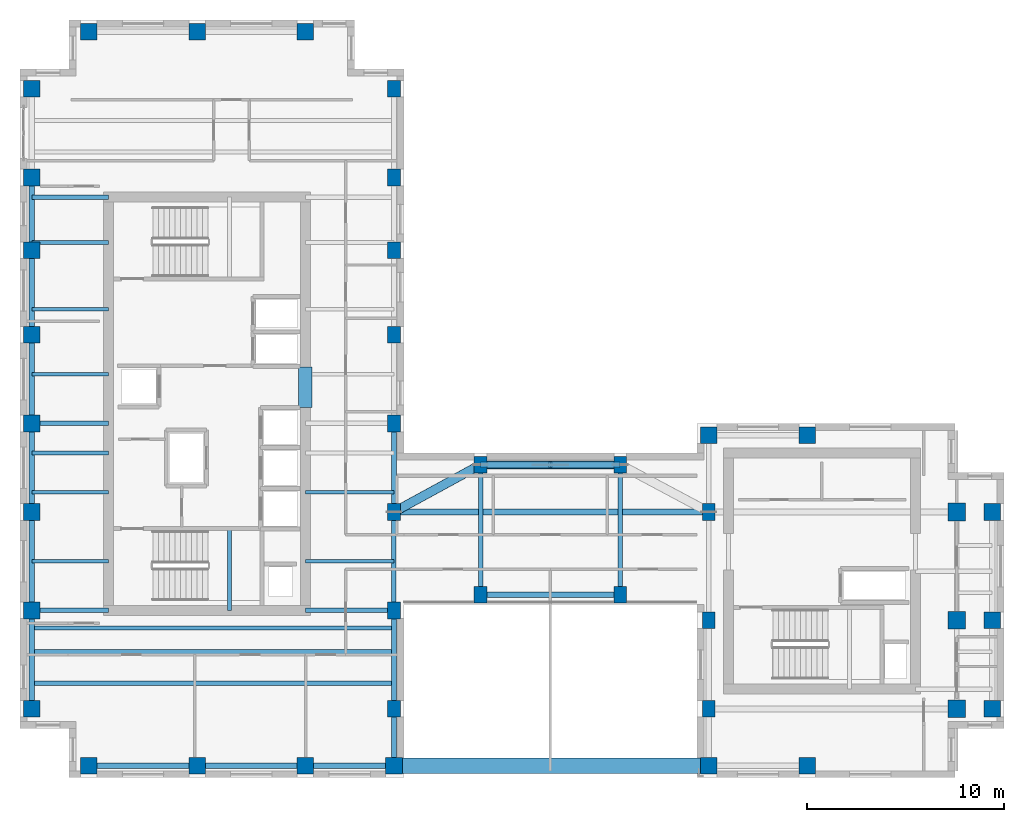
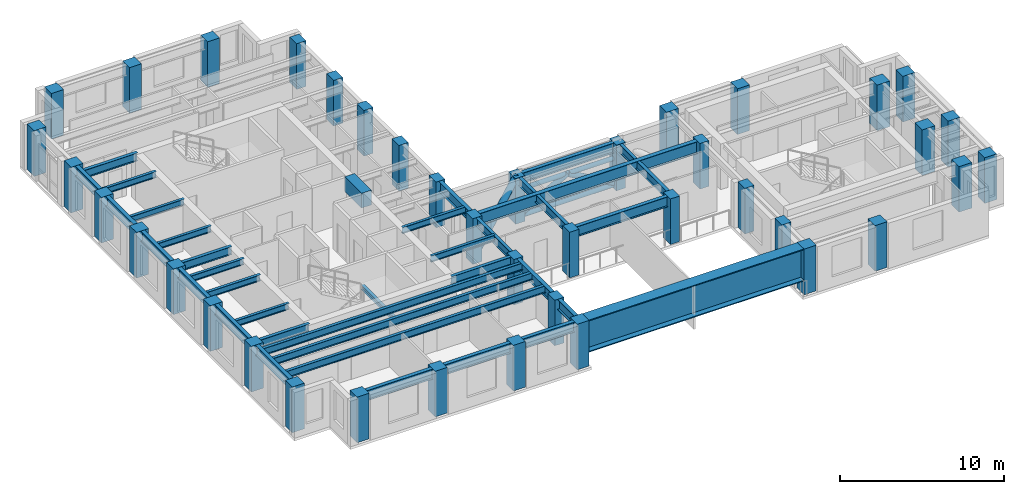
# One storey, part 1 of 12: 40 columns, 36 beams, 5 members.
"""IFC4 building model written with IfcOpenShell, lengths in metres."""

from ifc_helpers import new_model, si_unit, direction, frame, origin, origin_2d, place, context, subcontext, project, spatial, rectangle, hollow_circle, i_section, extrude, source, transform, mapped, material, material_profile, profile_set, type_object, element, save


model = new_model("IFC4")

# Units and contexts
model_context = context("Model", 3, precision=1e-05, world=origin(), true_north=direction((0.0, 1.0)))
body_context = subcontext(model_context, "Body", "Model", "MODEL_VIEW")
ifc_project = project(units=[si_unit("LENGTHUNIT", "METRE"), si_unit("AREAUNIT", "SQUARE_METRE"), si_unit("VOLUMEUNIT", "CUBIC_METRE"), si_unit("PLANEANGLEUNIT", "RADIAN"), si_unit("MASSUNIT", "GRAM", prefix="KILO")], contexts=[model_context])

# Site, building, storey
site_placement = place(None, origin())
site = spatial("IfcSite", under=ifc_project, at=site_placement, CompositionType="ELEMENT")
building_placement = place(site_placement, origin())
building = spatial("IfcBuilding", under=site, at=building_placement, Name="Kharzan Plaza Tower", CompositionType="ELEMENT")
storey_placement = place(building_placement, frame((0.0, 0.0, 248.39990234375)))
storey = spatial("IfcBuildingStorey", under=building, at=storey_placement, Name="L67", CompositionType="ELEMENT", Elevation=248.39990234375)

# Columns
ifc_material_1 = material(Name="Concrete C50/60", Category="concrete")
ifc_material_profile_1 = material_profile(ifc_material_1, rectangle(XDim=0.89990234375, YDim=0.89990234375, at=origin_2d()), Name="RC-IC900x900")
ifc_profile_set_1 = profile_set([ifc_material_profile_1], Name="Concrete C50/60")
column_type_1 = type_object("IfcColumnType", Name="COL-IC900", PredefinedType="COLUMN", material=ifc_profile_set_1)
shared_shape_1 = source(origin(), body_context, "Body", "SweptSolid", [
    extrude(rectangle(XDim=0.89990234375, YDim=0.89990234375, at=origin_2d()), origin(), (0.0, 0.0, 1.0), 3.400146484375),
])
for number, where, z_axis, x_axis, name in (
    (1, (47.60009765625, 13.5, 0.0), (0.0, 0.0, 1.0), (1.0, 0.0, 0.0), "L67 Structural Column TCBI-135"),
    (2, (47.60009765625, 3.5, 0.0), (0.0, 0.0, 1.0), (1.0, 0.0, 0.0), "L67 Structural Column TCBI-35"),
    (3, (47.60009765625, 8.0, 0.0), (0.0, 0.0, 1.0), (1.0, 0.0, 0.0), "L67 Structural Column TCBI-80"),
):
    element("IfcColumn", number, at=place(storey_placement, frame(where, z_axis=z_axis, x_axis=x_axis)), inside=storey, type_object=column_type_1, Name=name, PredefinedType="COLUMN", context=body_context, shape_type="MappedRepresentation", body=[
        mapped(shared_shape_1, transform((0.0, 0.0, 0.0), x_axis=(1.0, 0.0, 0.0), y_axis=(0.0, 1.0, 0.0), z_axis=(0.0, 0.0, 1.0))),
    ])
ifc_material_profile_2 = material_profile(ifc_material_1, rectangle(XDim=0.64990234375, YDim=0.85009765625, at=origin_2d()), Name="RC-SC850x650")
ifc_profile_set_2 = profile_set([ifc_material_profile_2], Name="Concrete C50/60")
column_type_2 = type_object("IfcColumnType", Name="COL-SC850", PredefinedType="COLUMN", material=ifc_profile_set_2)
shared_shape_2 = source(origin(), body_context, "Body", "SweptSolid", [
    extrude(rectangle(XDim=0.64990234375, YDim=0.85009765625, at=origin_2d()), origin(), (0.0, 0.0, 1.0), 3.400146484375),
])
for number, where, z_axis, x_axis, name in (
    (4, (19.0, 13.5, 0.0), (0.0, 0.0, 1.0), (1.0, 0.0, 0.0), "L67 Structural Column TCA-135"),
    (5, (19.0, 18.0, 0.0), (0.0, 0.0, 1.0), (1.0, 0.0, 0.0), "L67 Structural Column TCA-180"),
    (6, (19.0, 22.5, 0.0), (0.0, 0.0, 1.0), (1.0, 0.0, 0.0), "L67 Structural Column TCA-225"),
    (7, (19.0, 26.800048828125, 0.0), (0.0, 0.0, 1.0), (1.0, 0.0, 0.0), "L67 Structural Column TCA-268"),
    (8, (19.0, 30.5, 0.0), (0.0, 0.0, 1.0), (1.0, 0.0, 0.0), "L67 Structural Column TCA-305"),
    (9, (19.0, 3.5, 0.0), (0.0, 0.0, 1.0), (1.0, 0.0, 0.0), "L67 Structural Column TCA-35"),
    (10, (19.0, 35.0, 0.0), (0.0, 0.0, 1.0), (1.0, 0.0, 0.0), "L67 Structural Column TCA-350"),
    (11, (19.0, 8.5, 0.0), (0.0, 0.0, 1.0), (1.0, 0.0, 0.0), "L67 Structural Column TCA-85"),
    (12, (35.0, 13.5, 0.0), (0.0, 0.0, 1.0), (1.0, 0.0, 0.0), "L67 Structural Column TCBS-135"),
    (13, (35.0, 3.5, 0.0), (0.0, 0.0, 1.0), (1.0, 0.0, 0.0), "L67 Structural Column TCBS-35"),
    (14, (35.0, 8.0, 0.0), (0.0, 0.0, 1.0), (1.0, 0.0, 0.0), "L67 Structural Column TCBS-80"),
    (15, (23.39990234375, 15.89990234375, 0.0), (0.0, 0.0, 1.0), (1.0, 0.0, 0.0), "L67 Structural Column TCSP-234-159"),
    (16, (23.39990234375, 9.300048828125, 0.0), (0.0, 0.0, 1.0), (1.0, 0.0, 0.0), "L67 Structural Column TCSP-234-93"),
    (17, (30.5, 15.89990234375, 0.0), (0.0, 0.0, 1.0), (1.0, 0.0, 0.0), "L67 Structural Column TCSP-305-159"),
    (18, (30.5, 9.300048828125, 0.0), (0.0, 0.0, 1.0), (1.0, 0.0, 0.0), "L67 Structural Column TCSP-305-93"),
):
    element("IfcColumn", number, at=place(storey_placement, frame(where, z_axis=z_axis, x_axis=x_axis)), inside=storey, type_object=column_type_2, Name=name, PredefinedType="COLUMN", context=body_context, shape_type="MappedRepresentation", body=[
        mapped(shared_shape_2, transform((0.0, 0.0, 0.0), x_axis=(1.0, 0.0, 0.0), y_axis=(0.0, 1.0, 0.0), z_axis=(0.0, 0.0, 1.0))),
    ])
ifc_material_profile_3 = material_profile(ifc_material_1, rectangle(XDim=0.85009765625, YDim=0.85009765625, at=origin_2d()), Name="RC-TC850x850")
ifc_profile_set_3 = profile_set([ifc_material_profile_3], Name="Concrete C50/60")
column_type_3 = type_object("IfcColumnType", Name="COL-TC850", PredefinedType="COLUMN", material=ifc_profile_set_3)
shared_shape_3 = source(origin(), body_context, "Body", "SweptSolid", [
    extrude(rectangle(XDim=0.85009765625, YDim=0.85009765625, at=origin_2d()), origin(), (0.0, 0.0, 1.0), 3.400146484375),
])
for number, where, z_axis, x_axis, name in (
    (19, (35.0, 17.39990234375, 0.0), (0.0, 0.0, 1.0), (1.0, 0.0, 0.0), "L67 Structural Column TCBN-350-174"),
    (20, (40.0, 17.39990234375, 0.0), (0.0, 0.0, 1.0), (1.0, 0.0, 0.0), "L67 Structural Column TCBN-400-174"),
    (21, (49.39990234375, 13.5, 0.0), (0.0, 0.0, 1.0), (1.0, 0.0, 0.0), "L67 Structural Column TCE-494-135"),
    (22, (49.39990234375, 3.5, 0.0), (0.0, 0.0, 1.0), (1.0, 0.0, 0.0), "L67 Structural Column TCE-494-35"),
    (23, (49.39990234375, 8.0, 0.0), (0.0, 0.0, 1.0), (1.0, 0.0, 0.0), "L67 Structural Column TCE-494-80"),
    (24, (14.5, 37.89990234375, 0.0), (0.0, 0.0, 1.0), (1.0, 0.0, 0.0), "L67 Structural Column TCN-145-379"),
    (25, (3.5, 37.89990234375, 0.0), (0.0, 0.0, 1.0), (1.0, 0.0, 0.0), "L67 Structural Column TCN-35-379"),
    (26, (9.0, 37.89990234375, 0.0), (0.0, 0.0, 1.0), (1.0, 0.0, 0.0), "L67 Structural Column TCN-90-379"),
    (27, (14.5, 0.60009765625, 0.0), (0.0, 0.0, 1.0), (1.0, 0.0, 0.0), "L67 Structural Column TCS-145"),
    (28, (19.0, 0.60009765625, 0.0), (0.0, 0.0, 1.0), (1.0, 0.0, 0.0), "L67 Structural Column TCS-190"),
    (29, (3.5, 0.60009765625, 0.0), (0.0, 0.0, 1.0), (1.0, 0.0, 0.0), "L67 Structural Column TCS-35"),
    (30, (35.0, 0.60009765625, 0.0), (0.0, 0.0, 1.0), (1.0, 0.0, 0.0), "L67 Structural Column TCS-350"),
    (31, (40.0, 0.60009765625, 0.0), (0.0, 0.0, 1.0), (1.0, 0.0, 0.0), "L67 Structural Column TCS-400"),
    (32, (9.0, 0.60009765625, 0.0), (0.0, 0.0, 1.0), (1.0, 0.0, 0.0), "L67 Structural Column TCS-90"),
    (33, (0.60009765625, 13.5, 0.0), (0.0, 0.0, 1.0), (1.0, 0.0, 0.0), "L67 Structural Column TCW-135"),
    (34, (0.60009765625, 18.0, 0.0), (0.0, 0.0, 1.0), (1.0, 0.0, 0.0), "L67 Structural Column TCW-180"),
    (35, (0.60009765625, 22.5, 0.0), (0.0, 0.0, 1.0), (1.0, 0.0, 0.0), "L67 Structural Column TCW-225"),
    (36, (0.60009765625, 26.800048828125, 0.0), (0.0, 0.0, 1.0), (1.0, 0.0, 0.0), "L67 Structural Column TCW-268"),
    (37, (0.60009765625, 30.5, 0.0), (0.0, 0.0, 1.0), (1.0, 0.0, 0.0), "L67 Structural Column TCW-305"),
    (38, (0.60009765625, 3.5, 0.0), (0.0, 0.0, 1.0), (1.0, 0.0, 0.0), "L67 Structural Column TCW-35"),
    (39, (0.60009765625, 35.0, 0.0), (0.0, 0.0, 1.0), (1.0, 0.0, 0.0), "L67 Structural Column TCW-350"),
    (40, (0.60009765625, 8.5, 0.0), (0.0, 0.0, 1.0), (1.0, 0.0, 0.0), "L67 Structural Column TCW-85"),
):
    element("IfcColumn", number, at=place(storey_placement, frame(where, z_axis=z_axis, x_axis=x_axis)), inside=storey, type_object=column_type_3, Name=name, PredefinedType="COLUMN", context=body_context, shape_type="MappedRepresentation", body=[
        mapped(shared_shape_3, transform((0.0, 0.0, 0.0), x_axis=(1.0, 0.0, 0.0), y_axis=(0.0, 1.0, 0.0), z_axis=(0.0, 0.0, 1.0))),
    ])

# Beams
ifc_material_2 = material(Name="Concrete C60/75", Category="concrete")
ifc_material_profile_4 = material_profile(ifc_material_2, rectangle(XDim=0.699951171875, YDim=1.10009765625, at=origin_2d()), Name="RC-CB1100x700")
ifc_profile_set_4 = profile_set([ifc_material_profile_4], Name="Concrete C60/75")
beam_type_1 = type_object("IfcBeamType", Name="BM-RCCB1100", PredefinedType="LINTEL", material=ifc_profile_set_4)
shared_shape_4 = source(origin(), body_context, "Body", "SweptSolid", [
    extrude(rectangle(XDim=0.699951171875, YDim=1.10009765625, at=origin_2d()), origin(), (0.0, 0.0, 1.0), 2.059814453125),
])
beam_1_placement = place(storey_placement, frame((14.5, 18.820068359375, 2.85009765625), z_axis=(0.0, 1.0, 0.0), x_axis=(-1.0, 0.0, 0.0)))
element("IfcBeam", 41, at=beam_1_placement, inside=storey, type_object=beam_type_1, Name="L67 CORE-A RC coupling beam CB1", PredefinedType="LINTEL", context=body_context, shape_type="MappedRepresentation", body=[
    mapped(shared_shape_4, transform((0.0, 0.0, 0.0), x_axis=(1.0, 0.0, 0.0), y_axis=(0.0, 1.0, 0.0), z_axis=(0.0, 0.0, 1.0))),
])
ifc_material_3 = material(Name="Steel S355", Category="steel")
ifc_material_profile_5 = material_profile(ifc_material_3, i_section(OverallWidth=0.205078125, OverallDepth=0.35400390625, WebThickness=0.009521484375, FlangeThickness=0.016845703125, at=origin_2d()), Name="W360x79")
ifc_profile_set_5 = profile_set([ifc_material_profile_5], Name="Steel S355")
beam_type_2 = type_object("IfcBeamType", Name="BM-LNT360", PredefinedType="LINTEL", material=ifc_profile_set_5)
shared_shape_5 = source(origin(), body_context, "Body", "SweptSolid", [
    extrude(i_section(OverallWidth=0.205078125, OverallDepth=0.35400390625, WebThickness=0.009521484375, FlangeThickness=0.016845703125, at=origin_2d()), origin(), (0.0, 0.0, 1.0), 4.155029296875),
])
beam_2_placement = place(storey_placement, frame((10.64990234375, 8.5, 1.423095703125), z_axis=(0.0, 1.0, 0.0), x_axis=(-1.0, 0.0, 0.0)))
element("IfcBeam", 42, at=beam_2_placement, inside=storey, type_object=beam_type_2, Name="L67 Stair ST-1 Half-Landing Beam", PredefinedType="LINTEL", context=body_context, shape_type="MappedRepresentation", body=[
    mapped(shared_shape_5, transform((0.0, 0.0, 0.0), x_axis=(1.0, 0.0, 0.0), y_axis=(0.0, 1.0, 0.0), z_axis=(0.0, 0.0, 1.0))),
])
ifc_material_profile_6 = material_profile(ifc_material_3, i_section(OverallWidth=0.304931640625, OverallDepth=0.9189453125, WebThickness=0.017333984375, FlangeThickness=0.02783203125, at=origin_2d()), Name="W920x253")
ifc_profile_set_6 = profile_set([ifc_material_profile_6], Name="Steel S355")
beam_type_3 = type_object("IfcBeamType", Name="BM-FG920B", PredefinedType="BEAM", material=ifc_profile_set_6)
shared_shape_6 = source(origin(), body_context, "Body", "SweptSolid", [
    extrude(i_section(OverallWidth=0.304931640625, OverallDepth=0.9189453125, WebThickness=0.017333984375, FlangeThickness=0.02783203125, at=origin_2d()), origin(), (0.0, 0.0, 1.0), 16.0),
])
beam_3_placement = place(storey_placement, frame((19.0, 13.5, 2.940673828125), z_axis=(1.0, 0.0, 0.0), x_axis=(0.0, 1.0, 0.0)))
element("IfcBeam", 43, at=beam_3_placement, inside=storey, type_object=beam_type_3, Name="L67 Primary Floor Girder", PredefinedType="BEAM", context=body_context, shape_type="MappedRepresentation", body=[
    mapped(shared_shape_6, transform((0.0, 0.0, 0.0), x_axis=(1.0, 0.0, 0.0), y_axis=(0.0, 1.0, 0.0), z_axis=(0.0, 0.0, 1.0))),
])
ifc_material_profile_7 = material_profile(ifc_material_3, i_section(OverallWidth=0.2099609375, OverallDepth=0.537109375, WebThickness=0.010986328125, FlangeThickness=0.017333984375, at=origin_2d()), Name="W530x101")
ifc_profile_set_7 = profile_set([ifc_material_profile_7], Name="Steel S355")
beam_type_4 = type_object("IfcBeamType", Name="BM-JST530B", PredefinedType="JOIST", material=ifc_profile_set_7)
shared_shape_7 = source(origin(), body_context, "Body", "SweptSolid", [
    extrude(i_section(OverallWidth=0.2099609375, OverallDepth=0.537109375, WebThickness=0.010986328125, FlangeThickness=0.017333984375, at=origin_2d()), origin(), (0.0, 0.0, 1.0), 18.39990234375),
])
for number, where, z_axis, x_axis, name in (
    (44, (0.60009765625, 4.800048828125, 3.131591796875), (1.0, 0.0, 0.0), (0.0, 1.0, 0.0), "L67 Wing A Composite Joist 01"),
    (45, (0.60009765625, 6.39990234375, 3.131591796875), (1.0, 0.0, 0.0), (0.0, 1.0, 0.0), "L67 Wing A Composite Joist 02"),
    (46, (0.60009765625, 7.60009765625, 3.131591796875), (1.0, 0.0, 0.0), (0.0, 1.0, 0.0), "L67 Wing A Composite Joist 03"),
):
    element("IfcBeam", number, at=place(storey_placement, frame(where, z_axis=z_axis, x_axis=x_axis)), inside=storey, type_object=beam_type_4, Name=name, PredefinedType="JOIST", context=body_context, shape_type="MappedRepresentation", body=[
        mapped(shared_shape_7, transform((0.0, 0.0, 0.0), x_axis=(1.0, 0.0, 0.0), y_axis=(0.0, 1.0, 0.0), z_axis=(0.0, 0.0, 1.0))),
    ])
ifc_material_profile_8 = material_profile(ifc_material_3, i_section(OverallWidth=0.194091796875, OverallDepth=0.468994140625, WebThickness=0.011474609375, FlangeThickness=0.0205078125, at=origin_2d()), Name="W460x106")
ifc_profile_set_8 = profile_set([ifc_material_profile_8], Name="Steel S355")
beam_type_5 = type_object("IfcBeamType", Name="BM-JST460", PredefinedType="JOIST", material=ifc_profile_set_8)
shared_shape_8 = source(origin(), body_context, "Body", "SweptSolid", [
    extrude(i_section(OverallWidth=0.194091796875, OverallDepth=0.468994140625, WebThickness=0.011474609375, FlangeThickness=0.0205078125, at=origin_2d()), origin(), (0.0, 0.0, 1.0), 4.5),
])
for number, where, z_axis, x_axis, name in (
    (47, (14.5, 11.0, 3.16552734375), (1.0, 0.0, 0.0), (0.0, 1.0, 0.0), "L67 Wing A East Infill Joist 1"),
    (48, (14.5, 14.5, 3.16552734375), (1.0, 0.0, 0.0), (0.0, 1.0, 0.0), "L67 Wing A East Infill Joist 2"),
):
    element("IfcBeam", number, at=place(storey_placement, frame(where, z_axis=z_axis, x_axis=x_axis)), inside=storey, type_object=beam_type_5, Name=name, PredefinedType="JOIST", context=body_context, shape_type="MappedRepresentation", body=[
        mapped(shared_shape_8, transform((0.0, 0.0, 0.0), x_axis=(1.0, 0.0, 0.0), y_axis=(0.0, 1.0, 0.0), z_axis=(0.0, 0.0, 1.0))),
    ])
shared_shape_9 = source(origin(), body_context, "Body", "SweptSolid", [
    extrude(i_section(OverallWidth=0.194091796875, OverallDepth=0.468994140625, WebThickness=0.011474609375, FlangeThickness=0.0205078125, at=origin_2d()), origin(), (0.0, 0.0, 1.0), 3.89990234375),
])
for number, where, z_axis, x_axis, name in (
    (49, (0.60009765625, 11.0, 3.16552734375), (1.0, 0.0, 0.0), (0.0, 1.0, 0.0), "L67 Wing A West Infill Joist 1"),
    (50, (0.60009765625, 14.5, 3.16552734375), (1.0, 0.0, 0.0), (0.0, 1.0, 0.0), "L67 Wing A West Infill Joist 2"),
    (51, (0.60009765625, 16.5, 3.16552734375), (1.0, 0.0, 0.0), (0.0, 1.0, 0.0), "L67 Wing A West Infill Joist 3"),
    (52, (0.60009765625, 20.5, 3.16552734375), (1.0, 0.0, 0.0), (0.0, 1.0, 0.0), "L67 Wing A West Infill Joist 4"),
    (53, (0.60009765625, 23.800048828125, 3.16552734375), (1.0, 0.0, 0.0), (0.0, 1.0, 0.0), "L67 Wing A West Infill Joist 5"),
    (54, (0.60009765625, 27.199951171875, 3.16552734375), (1.0, 0.0, 0.0), (0.0, 1.0, 0.0), "L67 Wing A West Infill Joist 6"),
):
    element("IfcBeam", number, at=place(storey_placement, frame(where, z_axis=z_axis, x_axis=x_axis)), inside=storey, type_object=beam_type_5, Name=name, PredefinedType="JOIST", context=body_context, shape_type="MappedRepresentation", body=[
        mapped(shared_shape_9, transform((0.0, 0.0, 0.0), x_axis=(1.0, 0.0, 0.0), y_axis=(0.0, 1.0, 0.0), z_axis=(0.0, 0.0, 1.0))),
    ])

# Members
ifc_material_profile_9 = material_profile(ifc_material_3, hollow_circle(Radius=0.162109375, WallThickness=0.012451171875, at=origin_2d()), Name="CHS324x12.5")
ifc_profile_set_9 = profile_set([ifc_material_profile_9], Name="Steel S355")
member_type_1 = type_object("IfcMemberType", Name="MEM-TS-RING", PredefinedType="BRACE", material=ifc_profile_set_9)
shared_shape_10 = source(origin(), body_context, "Body", "SweptSolid", [
    extrude(hollow_circle(Radius=0.162109375, WallThickness=0.012451171875, at=origin_2d()), origin(), (0.0, 0.0, 1.0), 7.10009765625),
])
for number, where, z_axis, x_axis, name in (
    (55, (23.39990234375, 15.89990234375, 0.2001953125), (1.0, 0.0, 0.0), (0.0, 1.0, 0.0), "L67 Wind Turbine Slot Bottom Chord"),
    (56, (23.39990234375, 15.89990234375, 2.18017578125), (1.0, 0.0, 0.0), (0.0, 1.0, 0.0), "L67 Wind Turbine Slot Top Chord"),
):
    element("IfcMember", number, at=place(storey_placement, frame(where, z_axis=z_axis, x_axis=x_axis)), inside=storey, type_object=member_type_1, Name=name, PredefinedType="BRACE", context=body_context, shape_type="MappedRepresentation", body=[
        mapped(shared_shape_10, transform((0.0, 0.0, 0.0), x_axis=(1.0, 0.0, 0.0), y_axis=(0.0, 1.0, 0.0), z_axis=(0.0, 0.0, 1.0))),
    ])

# Beams
ifc_material_profile_10 = material_profile(ifc_material_3, i_section(OverallWidth=0.22900390625, OverallDepth=0.612060546875, WebThickness=0.011962890625, FlangeThickness=0.01953125, at=origin_2d()), Name="W610x125")
ifc_profile_set_10 = profile_set([ifc_material_profile_10], Name="Steel S355")
beam_type_6 = type_object("IfcBeamType", Name="BM-FG610B", PredefinedType="BEAM", material=ifc_profile_set_10)
shared_shape_11 = source(origin(), body_context, "Body", "SweptSolid", [
    extrude(i_section(OverallWidth=0.22900390625, OverallDepth=0.612060546875, WebThickness=0.011962890625, FlangeThickness=0.01953125, at=origin_2d()), origin(), (0.0, 0.0, 1.0), 4.5),
])
beam_4_placement = place(storey_placement, frame((14.5, 8.5, 3.093994140625), z_axis=(1.0, 0.0, 0.0), x_axis=(0.0, 1.0, 0.0)))
element("IfcBeam", 57, at=beam_4_placement, inside=storey, type_object=beam_type_6, Name="L67 Core-A East Floor Girder 1", PredefinedType="BEAM", context=body_context, shape_type="MappedRepresentation", body=[
    mapped(shared_shape_11, transform((0.0, 0.0, 0.0), x_axis=(1.0, 0.0, 0.0), y_axis=(0.0, 1.0, 0.0), z_axis=(0.0, 0.0, 1.0))),
])
shared_shape_12 = source(origin(), body_context, "Body", "SweptSolid", [
    extrude(i_section(OverallWidth=0.22900390625, OverallDepth=0.612060546875, WebThickness=0.011962890625, FlangeThickness=0.01953125, at=origin_2d()), origin(), (0.0, 0.0, 1.0), 3.89990234375),
])
for number, where, z_axis, x_axis, name in (
    (58, (0.60009765625, 8.5, 3.093994140625), (1.0, 0.0, 0.0), (0.0, 1.0, 0.0), "L67 Core-A West Floor Girder 1"),
    (59, (0.60009765625, 18.0, 3.093994140625), (1.0, 0.0, 0.0), (0.0, 1.0, 0.0), "L67 Core-A West Floor Girder 2"),
    (60, (0.60009765625, 29.5, 3.093994140625), (1.0, 0.0, 0.0), (0.0, 1.0, 0.0), "L67 Core-A West Floor Girder 3"),
):
    element("IfcBeam", number, at=place(storey_placement, frame(where, z_axis=z_axis, x_axis=x_axis)), inside=storey, type_object=beam_type_6, Name=name, PredefinedType="BEAM", context=body_context, shape_type="MappedRepresentation", body=[
        mapped(shared_shape_12, transform((0.0, 0.0, 0.0), x_axis=(1.0, 0.0, 0.0), y_axis=(0.0, 1.0, 0.0), z_axis=(0.0, 0.0, 1.0))),
    ])
shared_shape_13 = source(origin(), body_context, "Body", "SweptSolid", [
    extrude(i_section(OverallWidth=0.22900390625, OverallDepth=0.612060546875, WebThickness=0.011962890625, FlangeThickness=0.01953125, at=origin_2d()), origin(), (0.0, 0.0, 1.0), 5.0),
])
beam_5_placement = place(storey_placement, frame((19.0, 8.5, 3.093994140625), z_axis=(0.0, 1.0, 0.0), x_axis=(-1.0, 0.0, 0.0)))
element("IfcBeam", 61, at=beam_5_placement, inside=storey, type_object=beam_type_6, Name="L67 Interior Frame Girder", PredefinedType="BEAM", context=body_context, shape_type="MappedRepresentation", body=[
    mapped(shared_shape_13, transform((0.0, 0.0, 0.0), x_axis=(1.0, 0.0, 0.0), y_axis=(0.0, 1.0, 0.0), z_axis=(0.0, 0.0, 1.0))),
])
shared_shape_14 = source(origin(), body_context, "Body", "SweptSolid", [
    extrude(i_section(OverallWidth=0.22900390625, OverallDepth=0.612060546875, WebThickness=0.011962890625, FlangeThickness=0.01953125, at=origin_2d()), origin(), (0.0, 0.0, 1.0), 6.599853515625),
])
for number, where, z_axis, x_axis, name in (
    (62, (23.39990234375, 9.300048828125, 3.093994140625), (0.0, 1.0, 0.0), (-1.0, 0.0, 0.0), "L67 Interior Frame Girder"),
    (63, (30.5, 9.300048828125, 3.093994140625), (0.0, 1.0, 0.0), (-1.0, 0.0, 0.0), "L67 Interior Frame Girder"),
):
    element("IfcBeam", number, at=place(storey_placement, frame(where, z_axis=z_axis, x_axis=x_axis)), inside=storey, type_object=beam_type_6, Name=name, PredefinedType="BEAM", context=body_context, shape_type="MappedRepresentation", body=[
        mapped(shared_shape_14, transform((0.0, 0.0, 0.0), x_axis=(1.0, 0.0, 0.0), y_axis=(0.0, 1.0, 0.0), z_axis=(0.0, 0.0, 1.0))),
    ])
ifc_material_profile_11 = material_profile(ifc_material_3, i_section(OverallWidth=0.26708984375, OverallDepth=0.76611328125, WebThickness=0.014892578125, FlangeThickness=0.023681640625, at=origin_2d()), Name="W760x185")
ifc_profile_set_11 = profile_set([ifc_material_profile_11], Name="Steel S355")
beam_type_7 = type_object("IfcBeamType", Name="BM-SP760B", PredefinedType="SPANDREL", material=ifc_profile_set_11)
shared_shape_15 = source(origin(), body_context, "Body", "SweptSolid", [
    extrude(i_section(OverallWidth=0.26708984375, OverallDepth=0.76611328125, WebThickness=0.014892578125, FlangeThickness=0.023681640625, at=origin_2d()), origin(), (0.0, 0.0, 1.0), 5.0),
])
for number, where, z_axis, x_axis, name in (
    (64, (0.60009765625, 3.5, 3.01708984375), (0.0, 1.0, 0.0), (-1.0, 0.0, 0.0), "L67 Perimeter Tube Spandrel"),
    (65, (0.60009765625, 8.5, 3.01708984375), (0.0, 1.0, 0.0), (-1.0, 0.0, 0.0), "L67 Perimeter Tube Spandrel"),
    (66, (19.0, 3.5, 3.01708984375), (0.0, 1.0, 0.0), (-1.0, 0.0, 0.0), "L67 Perimeter Tube Spandrel"),
):
    element("IfcBeam", number, at=place(storey_placement, frame(where, z_axis=z_axis, x_axis=x_axis)), inside=storey, type_object=beam_type_7, Name=name, PredefinedType="SPANDREL", context=body_context, shape_type="MappedRepresentation", body=[
        mapped(shared_shape_15, transform((0.0, 0.0, 0.0), x_axis=(1.0, 0.0, 0.0), y_axis=(0.0, 1.0, 0.0), z_axis=(0.0, 0.0, 1.0))),
    ])
shared_shape_16 = source(origin(), body_context, "Body", "SweptSolid", [
    extrude(i_section(OverallWidth=0.26708984375, OverallDepth=0.76611328125, WebThickness=0.014892578125, FlangeThickness=0.023681640625, at=origin_2d()), origin(), (0.0, 0.0, 1.0), 4.5),
])
for number, where, z_axis, x_axis, name in (
    (67, (0.60009765625, 13.5, 3.01708984375), (0.0, 1.0, 0.0), (-1.0, 0.0, 0.0), "L67 Perimeter Tube Spandrel"),
    (68, (0.60009765625, 18.0, 3.01708984375), (0.0, 1.0, 0.0), (-1.0, 0.0, 0.0), "L67 Perimeter Tube Spandrel"),
    (69, (19.0, 13.5, 3.01708984375), (0.0, 1.0, 0.0), (-1.0, 0.0, 0.0), "L67 Perimeter Tube Spandrel"),
    (70, (14.5, 0.60009765625, 3.01708984375), (1.0, 0.0, 0.0), (0.0, 1.0, 0.0), "L67 Perimeter Tube Spandrel"),
):
    element("IfcBeam", number, at=place(storey_placement, frame(where, z_axis=z_axis, x_axis=x_axis)), inside=storey, type_object=beam_type_7, Name=name, PredefinedType="SPANDREL", context=body_context, shape_type="MappedRepresentation", body=[
        mapped(shared_shape_16, transform((0.0, 0.0, 0.0), x_axis=(1.0, 0.0, 0.0), y_axis=(0.0, 1.0, 0.0), z_axis=(0.0, 0.0, 1.0))),
    ])
shared_shape_17 = source(origin(), body_context, "Body", "SweptSolid", [
    extrude(i_section(OverallWidth=0.26708984375, OverallDepth=0.76611328125, WebThickness=0.014892578125, FlangeThickness=0.023681640625, at=origin_2d()), origin(), (0.0, 0.0, 1.0), 4.300048828125),
])
beam_6_placement = place(storey_placement, frame((0.60009765625, 22.5, 3.01708984375), z_axis=(0.0, 1.0, 0.0), x_axis=(-1.0, 0.0, 0.0)))
element("IfcBeam", 71, at=beam_6_placement, inside=storey, type_object=beam_type_7, Name="L67 Perimeter Tube Spandrel", PredefinedType="SPANDREL", context=body_context, shape_type="MappedRepresentation", body=[
    mapped(shared_shape_17, transform((0.0, 0.0, 0.0), x_axis=(1.0, 0.0, 0.0), y_axis=(0.0, 1.0, 0.0), z_axis=(0.0, 0.0, 1.0))),
])
shared_shape_18 = source(origin(), body_context, "Body", "SweptSolid", [
    extrude(i_section(OverallWidth=0.26708984375, OverallDepth=0.76611328125, WebThickness=0.014892578125, FlangeThickness=0.023681640625, at=origin_2d()), origin(), (0.0, 0.0, 1.0), 3.699951171875),
])
beam_7_placement = place(storey_placement, frame((0.60009765625, 26.800048828125, 3.01708984375), z_axis=(0.0, 1.0, 0.0), x_axis=(-1.0, 0.0, 0.0)))
element("IfcBeam", 72, at=beam_7_placement, inside=storey, type_object=beam_type_7, Name="L67 Perimeter Tube Spandrel", PredefinedType="SPANDREL", context=body_context, shape_type="MappedRepresentation", body=[
    mapped(shared_shape_18, transform((0.0, 0.0, 0.0), x_axis=(1.0, 0.0, 0.0), y_axis=(0.0, 1.0, 0.0), z_axis=(0.0, 0.0, 1.0))),
])
shared_shape_19 = source(origin(), body_context, "Body", "SweptSolid", [
    extrude(i_section(OverallWidth=0.26708984375, OverallDepth=0.76611328125, WebThickness=0.014892578125, FlangeThickness=0.023681640625, at=origin_2d()), origin(), (0.0, 0.0, 1.0), 2.89990234375),
])
beam_8_placement = place(storey_placement, frame((19.0, 0.60009765625, 3.01708984375), z_axis=(0.0, 1.0, 0.0), x_axis=(-1.0, 0.0, 0.0)))
element("IfcBeam", 73, at=beam_8_placement, inside=storey, type_object=beam_type_7, Name="L67 Perimeter Tube Spandrel", PredefinedType="SPANDREL", context=body_context, shape_type="MappedRepresentation", body=[
    mapped(shared_shape_19, transform((0.0, 0.0, 0.0), x_axis=(1.0, 0.0, 0.0), y_axis=(0.0, 1.0, 0.0), z_axis=(0.0, 0.0, 1.0))),
])
shared_shape_20 = source(origin(), body_context, "Body", "SweptSolid", [
    extrude(i_section(OverallWidth=0.26708984375, OverallDepth=0.76611328125, WebThickness=0.014892578125, FlangeThickness=0.023681640625, at=origin_2d()), origin(), (0.0, 0.0, 1.0), 5.5),
])
for number, where, z_axis, x_axis, name in (
    (74, (3.5, 0.60009765625, 3.01708984375), (1.0, 0.0, 0.0), (0.0, 1.0, 0.0), "L67 Perimeter Tube Spandrel"),
    (75, (9.0, 0.60009765625, 3.01708984375), (1.0, 0.0, 0.0), (0.0, 1.0, 0.0), "L67 Perimeter Tube Spandrel"),
):
    element("IfcBeam", number, at=place(storey_placement, frame(where, z_axis=z_axis, x_axis=x_axis)), inside=storey, type_object=beam_type_7, Name=name, PredefinedType="SPANDREL", context=body_context, shape_type="MappedRepresentation", body=[
        mapped(shared_shape_20, transform((0.0, 0.0, 0.0), x_axis=(1.0, 0.0, 0.0), y_axis=(0.0, 1.0, 0.0), z_axis=(0.0, 0.0, 1.0))),
    ])
shared_shape_21 = source(origin(), body_context, "Body", "SweptSolid", [
    extrude(i_section(OverallWidth=0.26708984375, OverallDepth=0.76611328125, WebThickness=0.014892578125, FlangeThickness=0.023681640625, at=origin_2d()), origin(), (0.0, 0.0, 1.0), 7.10009765625),
])
for number, where, z_axis, x_axis, name in (
    (76, (23.39990234375, 9.300048828125, 3.01708984375), (1.0, 0.0, 0.0), (0.0, 1.0, 0.0), "L67 Perimeter Tube Spandrel"),
    (77, (23.39990234375, 15.89990234375, 3.01708984375), (1.0, 0.0, 0.0), (0.0, 1.0, 0.0), "L67 Perimeter Tube Spandrel"),
):
    element("IfcBeam", number, at=place(storey_placement, frame(where, z_axis=z_axis, x_axis=x_axis)), inside=storey, type_object=beam_type_7, Name=name, PredefinedType="SPANDREL", context=body_context, shape_type="MappedRepresentation", body=[
        mapped(shared_shape_21, transform((0.0, 0.0, 0.0), x_axis=(1.0, 0.0, 0.0), y_axis=(0.0, 1.0, 0.0), z_axis=(0.0, 0.0, 1.0))),
    ])

# Members
ifc_material_profile_12 = material_profile(ifc_material_3, hollow_circle(Radius=0.202880859375, WallThickness=0.01611328125, at=origin_2d()), Name="CHS406x16")
ifc_profile_set_12 = profile_set([ifc_material_profile_12], Name="Steel S355")
member_type_2 = type_object("IfcMemberType", Name="MEM-TS-STRUT", PredefinedType="STRUT", material=ifc_profile_set_12)
shared_shape_22 = source(origin(), body_context, "Body", "SweptSolid", [
    extrude(hollow_circle(Radius=0.202880859375, WallThickness=0.01611328125, at=origin_2d()), origin(), (0.0, 0.0, 1.0), 4.06494140625),
])
for number, where, z_axis, x_axis, name in (
    (78, (23.39990234375, 15.89990234375, 0.2001953125), (0.873348642606, 0.0, 0.487095625579), (0.0, 1.0, 0.0), "L67 Wind Turbine Slot Rotor Strut 1"),
    (79, (30.5, 15.89990234375, 0.2001953125), (-0.873348642606, 0.0, 0.487095625579), (0.0, -1.0, 0.0), "L67 Wind Turbine Slot Rotor Strut 2"),
):
    element("IfcMember", number, at=place(storey_placement, frame(where, z_axis=z_axis, x_axis=x_axis)), inside=storey, type_object=member_type_2, Name=name, PredefinedType="STRUT", context=body_context, shape_type="MappedRepresentation", body=[
        mapped(shared_shape_22, transform((0.0, 0.0, 0.0), x_axis=(1.0, 0.0, 0.0), y_axis=(0.0, 1.0, 0.0), z_axis=(0.0, 0.0, 1.0))),
    ])
ifc_material_profile_13 = material_profile(ifc_material_3, hollow_circle(Radius=0.228515625, WallThickness=0.01611328125, at=origin_2d()), Name="CHS457x16")
ifc_profile_set_13 = profile_set([ifc_material_profile_13], Name="Steel S355")
member_type_3 = type_object("IfcMemberType", Name="MEM-WP-STRUT", PredefinedType="STRUT", material=ifc_profile_set_13)
shared_shape_23 = source(origin(), body_context, "Body", "SweptSolid", [
    extrude(hollow_circle(Radius=0.228515625, WallThickness=0.01611328125, at=origin_2d()), origin(), (0.0, 0.0, 1.0), 5.882568359375),
])
member_placement = place(storey_placement, frame((19.0, 13.5, 0.2001953125), z_axis=(0.747962072933, 0.407971766559, 0.523556849964), x_axis=(-0.47884530469, 0.877899296147, 0.0)))
element("IfcMember", 80, at=member_placement, inside=storey, type_object=member_type_3, Name="L67 Wind Portal Frame V-Strut West", PredefinedType="STRUT", context=body_context, shape_type="MappedRepresentation", body=[
    mapped(shared_shape_23, transform((0.0, 0.0, 0.0), x_axis=(1.0, 0.0, 0.0), y_axis=(0.0, 1.0, 0.0), z_axis=(0.0, 0.0, 1.0))),
])

# Beam
ifc_material_profile_14 = material_profile(ifc_material_3, i_section(OverallWidth=0.800048828125, OverallDepth=2.39990234375, WebThickness=0.0400390625, FlangeThickness=0.070068359375, at=origin_2d()), Name="PG2400x800")
ifc_profile_set_14 = profile_set([ifc_material_profile_14], Name="Steel S355")
beam_type_8 = type_object("IfcBeamType", Name="BM-TG2400", PredefinedType="BEAM", material=ifc_profile_set_14)
shared_shape_24 = source(origin(), body_context, "Body", "SweptSolid", [
    extrude(i_section(OverallWidth=0.800048828125, OverallDepth=2.39990234375, WebThickness=0.0400390625, FlangeThickness=0.070068359375, at=origin_2d()), origin(), (0.0, 0.0, 1.0), 16.0),
])
beam_9_placement = place(storey_placement, frame((19.0, 0.60009765625, 2.2001953125), z_axis=(1.0, 0.0, 0.0), x_axis=(0.0, 1.0, 0.0)))
element("IfcBeam", 81, at=beam_9_placement, inside=storey, type_object=beam_type_8, Name="L67 L67 Tie-Band Transfer Girder TG1", PredefinedType="BEAM", context=body_context, shape_type="MappedRepresentation", body=[
    mapped(shared_shape_24, transform((0.0, 0.0, 0.0), x_axis=(1.0, 0.0, 0.0), y_axis=(0.0, 1.0, 0.0), z_axis=(0.0, 0.0, 1.0))),
])

save(model, "model.ifc")
